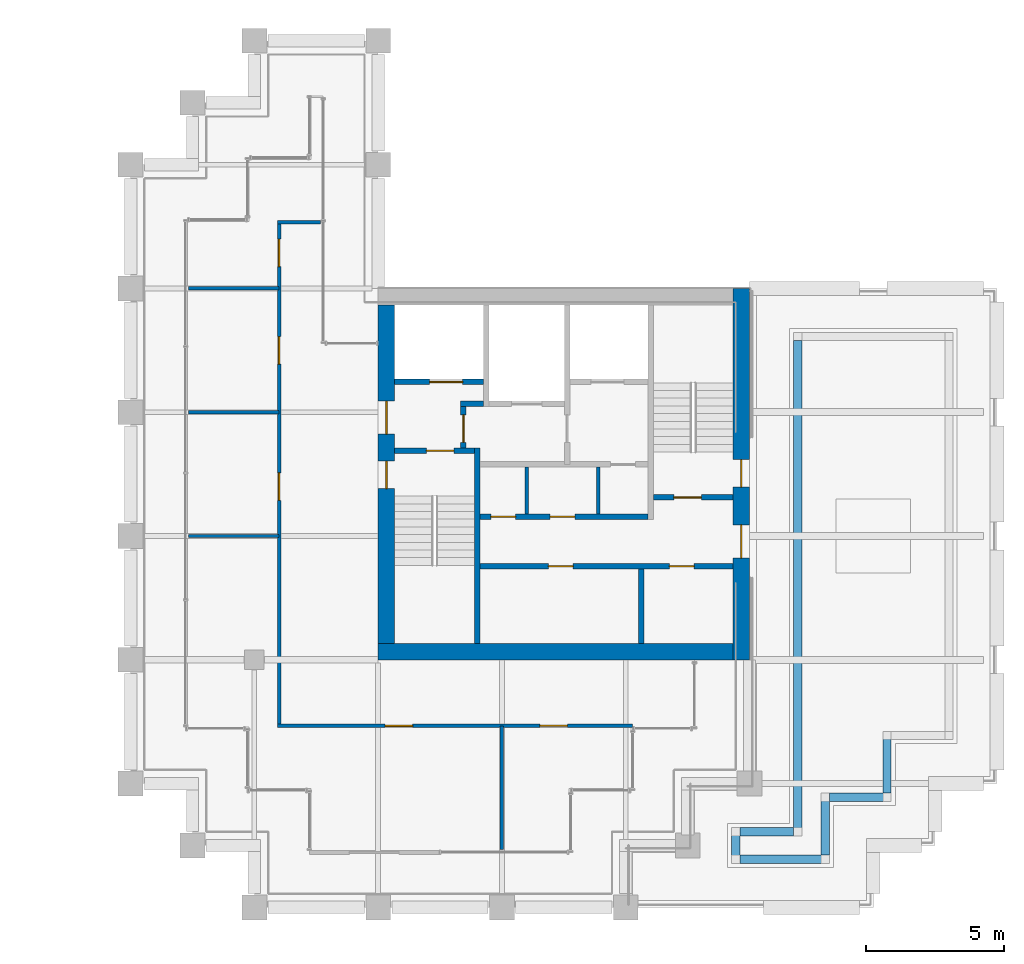
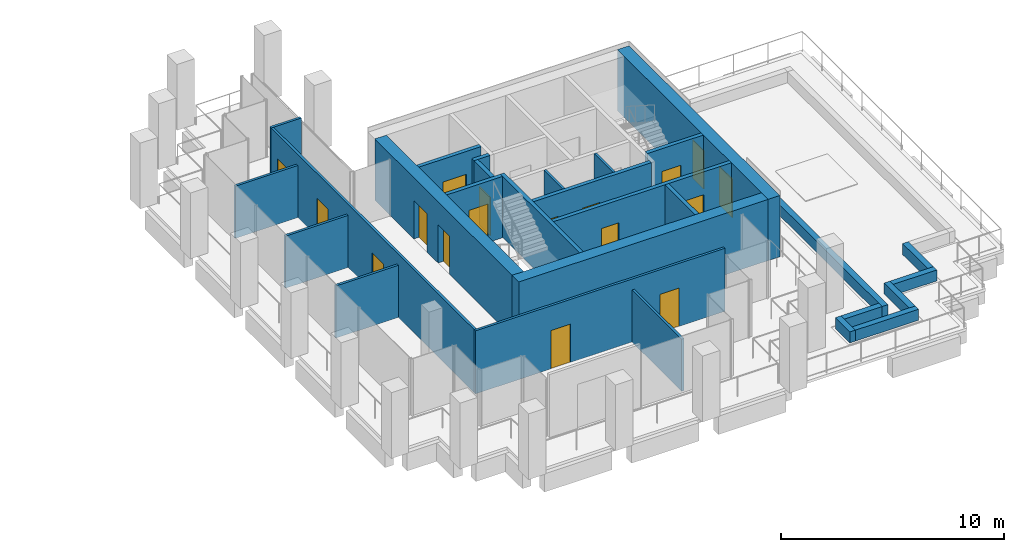
# One storey, part 40 of 44: 28 walls, 17 doors, 17 openings.
"""IFC4 building model written with IfcOpenShell, lengths in metres."""

from ifc_helpers import new_model, si_unit, direction, frame, frame_2d, origin, place, context, subcontext, project, spatial, rectangle, extrude, material, layer, layer_set, type_object, element, fill, save


model = new_model("IFC4")

# Units and contexts
model_context = context("Model", 3, precision=1e-05, world=origin(), true_north=direction((0.0, 1.0)))
body_context = subcontext(model_context, "Body", "Model", "MODEL_VIEW")
ifc_project = project(units=[si_unit("LENGTHUNIT", "METRE"), si_unit("AREAUNIT", "SQUARE_METRE"), si_unit("VOLUMEUNIT", "CUBIC_METRE"), si_unit("PLANEANGLEUNIT", "RADIAN"), si_unit("MASSUNIT", "GRAM", prefix="KILO")], contexts=[model_context])

# Site, building, storey
site_placement = place(None, origin())
site = spatial("IfcSite", under=ifc_project, at=site_placement, CompositionType="ELEMENT")
building_placement = place(site_placement, origin())
building = spatial("IfcBuilding", under=site, at=building_placement, Name="Altepetl Exchange Towers", CompositionType="ELEMENT")
storey_placement = place(building_placement, frame((0.0, 0.0, 143.800048828125)))
storey = spatial("IfcBuildingStorey", under=building, at=storey_placement, Name="L35", CompositionType="ELEMENT", Elevation=143.800048828125)

# Wall
ifc_material_1 = material(Name="Concrete C70/85", Category="concrete")
ifc_layer_1 = layer(ifc_material_1, 0.60009765625)
ifc_layer_set_1 = layer_set([ifc_layer_1], Name="Concrete C70/85")
wall_type_1 = type_object("IfcWallType", Name="Core wall 600 reinforced concrete", PredefinedType="SHEAR", material=ifc_layer_set_1)
wall_1_placement = place(storey_placement, frame((103.5, 36.300048828125, 0.0)))
element("IfcWall", 1, at=wall_1_placement, inside=storey, type_object=wall_type_1, Name="wall:B:L35:K-coreS", PredefinedType="SHEAR", context=body_context, shape_type="SweptSolid", body=[
    extrude(rectangle(XDim=12.89990234375, YDim=0.60009765625, at=frame_2d((6.449951171875, 0.0))), origin(), (0.0, 0.0, 1.0), 3.349853515625),
])

# Wall, openings, doors
wall_2_placement = place(storey_placement, frame((103.800048828125, 36.60009765625, 0.0), z_axis=(0.0, 0.0, 1.0), x_axis=(0.0, 1.0, 0.0)))
wall_2 = element("IfcWall", 2, at=wall_2_placement, inside=storey, type_object=wall_type_1, Name="wall:B:L35:K-coreW", PredefinedType="SHEAR", context=body_context, shape_type="SweptSolid", body=[
    extrude(rectangle(XDim=12.2998046875, YDim=0.60009765625, at=frame_2d((6.14990234375, 0.0))), origin(), (0.0, 0.0, 1.0), 3.349853515625),
])
opening_1_placement = place(wall_2_placement, frame((7.60009765625, 0.0, 0.0)))
opening_1 = element("IfcOpeningElement", 3, at=opening_1_placement, cuts=wall_2, Name="Opening L35.B60", PredefinedType="OPENING", context=body_context, shape_type="SweptSolid", body=[
    extrude(rectangle(XDim=1.199951171875, YDim=2.10009765625, at=frame_2d((0.60009765625, 1.050048828125))), frame((0.0, 0.31005859375, 0.0), z_axis=(0.0, -1.0, 0.0), x_axis=(1.0, 0.0, 0.0)), (0.0, 0.0, 1.0), 0.6201171875),
])
opening_2_placement = place(wall_2_placement, frame((5.625, 0.0, 0.0)))
opening_2 = element("IfcOpeningElement", 4, at=opening_2_placement, cuts=wall_2, Name="Opening L35.B63", PredefinedType="OPENING", context=body_context, shape_type="SweptSolid", body=[
    extrude(rectangle(XDim=1.0, YDim=2.10009765625, at=frame_2d((0.5, 1.050048828125))), frame((0.0, 0.31005859375, 0.0), z_axis=(0.0, -1.0, 0.0), x_axis=(1.0, 0.0, 0.0)), (0.0, 0.0, 1.0), 0.6201171875),
])
ifc_material_2 = material(Name="Steel and timber fire door", Category="steel")
door_type_1 = type_object("IfcDoorType", Name="Fire door 1000 x 2100 stair and lobby", OperationType="SINGLE_SWING_LEFT", PredefinedType="DOOR", material=ifc_material_2)
door_1_placement = place(opening_2_placement, frame((1.0, 0.0, 0.0), x_axis=(-1.0, 0.0, 0.0)))
door_1 = element("IfcDoor", 5, at=door_1_placement, inside=storey, type_object=door_type_1, Name="door:B:L35:K-dS1x", OperationType="SINGLE_SWING_RIGHT", OverallHeight=2.10009765625, OverallWidth=1.0, PredefinedType="DOOR", context=body_context, shape_type="SweptSolid", body=[
    extrude(rectangle(XDim=1.0, YDim=2.10009765625, at=frame_2d((0.5, 1.050048828125))), frame((0.0, 0.02490234375, 0.0), z_axis=(0.0, -1.0, 0.0), x_axis=(1.0, 0.0, 0.0)), (0.0, 0.0, 1.0), 0.050048828125),
])
fill(opening_2, door_1)
door_type_2 = type_object("IfcDoorType", Name="Fire door 1200 x 2100 lobby entry", OperationType="SINGLE_SWING_LEFT", PredefinedType="DOOR", material=ifc_material_2)
door_2_placement = place(opening_1_placement, frame((1.199951171875, 0.0, 0.0), x_axis=(-1.0, 0.0, 0.0)))
door_2 = element("IfcDoor", 6, at=door_2_placement, inside=storey, type_object=door_type_2, Name="door:B:L35:K-dLNW", OperationType="SINGLE_SWING_RIGHT", OverallHeight=2.10009765625, OverallWidth=1.199951171875, PredefinedType="DOOR", context=body_context, shape_type="SweptSolid", body=[
    extrude(rectangle(XDim=1.199951171875, YDim=2.10009765625, at=frame_2d((0.60009765625, 1.050048828125))), frame((0.0, 0.02490234375, 0.0), z_axis=(0.0, -1.0, 0.0), x_axis=(1.0, 0.0, 0.0)), (0.0, 0.0, 1.0), 0.050048828125),
])
fill(opening_1, door_2)

ifc_layer_2 = layer(ifc_material_1, 0.60009765625)
ifc_layer_set_2 = layer_set([ifc_layer_2], Name="Concrete C70/85")
wall_type_2 = type_object("IfcWallType", Name="Core wall 600 reinforced concrete external", PredefinedType="SHEAR", material=ifc_layer_set_2)
wall_3_placement = place(storey_placement, frame((116.699951171875, 36.0, 0.0), z_axis=(0.0, 0.0, 1.0), x_axis=(0.0, 1.0, 0.0)))
wall_3 = element("IfcWall", 7, at=wall_3_placement, inside=storey, type_object=wall_type_2, Name="wall:B:L35:K-coreE", PredefinedType="SHEAR", context=body_context, shape_type="SweptSolid", body=[
    extrude(rectangle(XDim=13.5, YDim=0.60009765625, at=frame_2d((6.75, 0.0))), origin(), (0.0, 0.0, 1.0), 3.349853515625),
])
opening_3_placement = place(wall_3_placement, frame((3.699951171875, 0.0, 0.0)))
opening_3 = element("IfcOpeningElement", 8, at=opening_3_placement, cuts=wall_3, Name="Opening L35.B61", PredefinedType="OPENING", context=body_context, shape_type="SweptSolid", body=[
    extrude(rectangle(XDim=1.199951171875, YDim=2.10009765625, at=frame_2d((0.60009765625, 1.050048828125))), frame((0.0, 0.31005859375, 0.0), z_axis=(0.0, -1.0, 0.0), x_axis=(1.0, 0.0, 0.0)), (0.0, 0.0, 1.0), 0.6201171875),
])
opening_4_placement = place(wall_3_placement, frame((6.27490234375, 0.0, 0.0)))
opening_4 = element("IfcOpeningElement", 9, at=opening_4_placement, cuts=wall_3, Name="Opening L35.B65", PredefinedType="OPENING", context=body_context, shape_type="SweptSolid", body=[
    extrude(rectangle(XDim=1.0, YDim=2.10009765625, at=frame_2d((0.5, 1.050048828125))), frame((0.0, 0.31005859375, 0.0), z_axis=(0.0, -1.0, 0.0), x_axis=(1.0, 0.0, 0.0)), (0.0, 0.0, 1.0), 0.6201171875),
])
door_3_placement = place(opening_4_placement, origin())
door_3 = element("IfcDoor", 10, at=door_3_placement, inside=storey, type_object=door_type_1, Name="door:B:L35:K-dS2x", OperationType="SINGLE_SWING_LEFT", OverallHeight=2.10009765625, OverallWidth=1.0, PredefinedType="DOOR", context=body_context, shape_type="SweptSolid", body=[
    extrude(rectangle(XDim=1.0, YDim=2.10009765625, at=frame_2d((0.5, 1.050048828125))), frame((0.0, 0.02490234375, 0.0), z_axis=(0.0, -1.0, 0.0), x_axis=(1.0, 0.0, 0.0)), (0.0, 0.0, 1.0), 0.050048828125),
])
fill(opening_4, door_3)
door_4_placement = place(opening_3_placement, origin())
door_4 = element("IfcDoor", 11, at=door_4_placement, inside=storey, type_object=door_type_2, Name="door:B:L35:K-dLSE", OperationType="SINGLE_SWING_RIGHT", OverallHeight=2.10009765625, OverallWidth=1.199951171875, PredefinedType="DOOR", context=body_context, shape_type="SweptSolid", body=[
    extrude(rectangle(XDim=1.199951171875, YDim=2.10009765625, at=frame_2d((0.60009765625, 1.050048828125))), frame((0.0, 0.02490234375, 0.0), z_axis=(0.0, -1.0, 0.0), x_axis=(1.0, 0.0, 0.0)), (0.0, 0.0, 1.0), 0.050048828125),
])
fill(opening_3, door_4)

# Wall
ifc_material_3 = material(Name="Concrete blockwork", Category="masonry")
ifc_layer_3 = layer(ifc_material_3, 0.199951171875)
ifc_layer_set_3 = layer_set([ifc_layer_3], Name="Concrete blockwork")
wall_type_3 = type_object("IfcWallType", Name="Lobby wall 200 blockwork", PredefinedType="PARTITIONING", material=ifc_layer_set_3)
wall_4_placement = place(storey_placement, frame((106.5, 45.300048828125, 0.0)))
element("IfcWall", 12, at=wall_4_placement, inside=storey, type_object=wall_type_3, Name="wall:B:L35:K-ffNw", PredefinedType="PARTITIONING", context=body_context, shape_type="SweptSolid", body=[
    extrude(rectangle(XDim=0.833251953125, YDim=0.199951171875, at=frame_2d((0.41650390625, 0.0))), origin(), (0.0, 0.0, 1.0), 3.349853515625),
])

# Wall, opening, door
wall_5_placement = place(storey_placement, frame((106.60009765625, 43.699951171875, 0.0), z_axis=(0.0, 0.0, 1.0), x_axis=(0.0, 1.0, 0.0)))
wall_5 = element("IfcWall", 13, at=wall_5_placement, inside=storey, type_object=wall_type_3, Name="wall:B:L35:K-ffW", PredefinedType="PARTITIONING", context=body_context, shape_type="SweptSolid", body=[
    extrude(rectangle(XDim=1.5, YDim=0.199951171875, at=frame_2d((0.75, 0.0))), origin(), (0.0, 0.0, 1.0), 3.349853515625),
])
opening_5_placement = place(wall_5_placement, frame((0.199951171875, 0.0, 0.0)))
opening_5 = element("IfcOpeningElement", 14, at=opening_5_placement, cuts=wall_5, Name="Opening L35.B67", PredefinedType="OPENING", context=body_context, shape_type="SweptSolid", body=[
    extrude(rectangle(XDim=1.0, YDim=2.10009765625, at=frame_2d((0.5, 1.050048828125))), frame((0.0, 0.10986328125, 0.0), z_axis=(0.0, -1.0, 0.0), x_axis=(1.0, 0.0, 0.0)), (0.0, 0.0, 1.0), 0.219970703125),
])
door_5_placement = place(opening_5_placement, frame((1.0, 0.0, 0.0), x_axis=(-1.0, 0.0, 0.0)))
door_5 = element("IfcDoor", 15, at=door_5_placement, inside=storey, type_object=door_type_1, Name="door:B:L35:K-dffW", OperationType="SINGLE_SWING_LEFT", OverallHeight=2.10009765625, OverallWidth=1.0, PredefinedType="DOOR", context=body_context, shape_type="SweptSolid", body=[
    extrude(rectangle(XDim=1.0, YDim=2.10009765625, at=frame_2d((0.5, 1.050048828125))), frame((0.0, 0.02490234375, 0.0), z_axis=(0.0, -1.0, 0.0), x_axis=(1.0, 0.0, 0.0)), (0.0, 0.0, 1.0), 0.050048828125),
])
fill(opening_5, door_5)

# Wall, openings, doors
wall_6_placement = place(storey_placement, frame((107.199951171875, 41.199951171875, 0.0)))
wall_6 = element("IfcWall", 16, at=wall_6_placement, inside=storey, type_object=wall_type_3, Name="wall:B:L35:K-zoneS", PredefinedType="PARTITIONING", context=body_context, shape_type="SweptSolid", body=[
    extrude(rectangle(XDim=6.10009765625, YDim=0.199951171875, at=frame_2d((3.050048828125, 0.0))), origin(), (0.0, 0.0, 1.0), 3.349853515625),
])
opening_6_placement = place(wall_6_placement, frame((0.39990234375, 0.0, 0.0)))
opening_6 = element("IfcOpeningElement", 17, at=opening_6_placement, cuts=wall_6, Name="Opening L35.B70", PredefinedType="OPENING", context=body_context, shape_type="SweptSolid", body=[
    extrude(rectangle(XDim=0.89990234375, YDim=2.10009765625, at=frame_2d((0.449951171875, 1.050048828125))), frame((0.0, 0.10986328125, 0.0), z_axis=(0.0, -1.0, 0.0), x_axis=(1.0, 0.0, 0.0)), (0.0, 0.0, 1.0), 0.219970703125),
])
opening_7_placement = place(wall_6_placement, frame((2.550048828125, 0.0, 0.0)))
opening_7 = element("IfcOpeningElement", 18, at=opening_7_placement, cuts=wall_6, Name="Opening L35.B71", PredefinedType="OPENING", context=body_context, shape_type="SweptSolid", body=[
    extrude(rectangle(XDim=0.89990234375, YDim=2.10009765625, at=frame_2d((0.449951171875, 1.050048828125))), frame((0.0, 0.10986328125, 0.0), z_axis=(0.0, -1.0, 0.0), x_axis=(1.0, 0.0, 0.0)), (0.0, 0.0, 1.0), 0.219970703125),
])
door_type_3 = type_object("IfcDoorType", Name="Fire door 900 x 2100 service room", OperationType="SINGLE_SWING_LEFT", PredefinedType="DOOR", material=ifc_material_2)
door_6_placement = place(opening_6_placement, origin())
door_6 = element("IfcDoor", 19, at=door_6_placement, inside=storey, type_object=door_type_3, Name="door:B:L35:K-dz1", OperationType="SINGLE_SWING_RIGHT", OverallHeight=2.10009765625, OverallWidth=0.89990234375, PredefinedType="DOOR", context=body_context, shape_type="SweptSolid", body=[
    extrude(rectangle(XDim=0.89990234375, YDim=2.10009765625, at=frame_2d((0.449951171875, 1.050048828125))), frame((0.0, 0.02490234375, 0.0), z_axis=(0.0, -1.0, 0.0), x_axis=(1.0, 0.0, 0.0)), (0.0, 0.0, 1.0), 0.050048828125),
])
fill(opening_6, door_6)
door_7_placement = place(opening_7_placement, origin())
door_7 = element("IfcDoor", 20, at=door_7_placement, inside=storey, type_object=door_type_3, Name="door:B:L35:K-dz2", OperationType="SINGLE_SWING_LEFT", OverallHeight=2.10009765625, OverallWidth=0.89990234375, PredefinedType="DOOR", context=body_context, shape_type="SweptSolid", body=[
    extrude(rectangle(XDim=0.89990234375, YDim=2.10009765625, at=frame_2d((0.449951171875, 1.050048828125))), frame((0.0, 0.02490234375, 0.0), z_axis=(0.0, -1.0, 0.0), x_axis=(1.0, 0.0, 0.0)), (0.0, 0.0, 1.0), 0.050048828125),
])
fill(opening_7, door_7)

# Walls
ifc_material_4 = material(Name="Timber panels on aluminium track", Category="wood")
ifc_layer_4 = layer(ifc_material_4, 0.125)
ifc_layer_set_4 = layer_set([ifc_layer_4], Name="Timber panels on aluminium track")
wall_type_4 = type_object("IfcWallType", Name="Operable acoustic partition 125", PredefinedType="MOVABLE", material=ifc_layer_set_4)
for number, where, name in (
    (21, (96.60009765625, 45.0, 0.0), "wall:B:L35:P03"),
    (22, (96.60009765625, 49.5, 0.0), "wall:B:L35:P04"),
):
    element("IfcWall", number, at=place(storey_placement, frame(where)), inside=storey, type_object=wall_type_4, Name=name, PredefinedType="MOVABLE", context=body_context, shape_type="SweptSolid", body=[
        extrude(rectangle(XDim=3.2998046875, YDim=0.125, at=frame_2d((1.64990234375, 0.0))), origin(), (0.0, 0.0, 1.0), 2.850830078125),
    ])
ifc_material_5 = material(Name="Gypsum board on steel studs", Category="steel")
ifc_layer_5 = layer(ifc_material_5, 0.125)
ifc_layer_set_5 = layer_set([ifc_layer_5], Name="Gypsum board on steel studs")
wall_type_5 = type_object("IfcWallType", Name="Partition 125 gypsum board on steel studs", PredefinedType="PARTITIONING", material=ifc_layer_set_5)
for number, where, z_axis, x_axis, name in (
    (23, (108.89990234375, 41.300048828125, 0.0), (0.0, 0.0, 1.0), (0.0, 1.0, 0.0), "wall:B:L35:K-zp1"),
    (24, (111.5, 41.300048828125, 0.0), (0.0, 0.0, 1.0), (0.0, 1.0, 0.0), "wall:B:L35:K-zp2"),
):
    element("IfcWall", number, at=place(storey_placement, frame(where, z_axis=z_axis, x_axis=x_axis)), inside=storey, type_object=wall_type_5, Name=name, PredefinedType="PARTITIONING", context=body_context, shape_type="SweptSolid", body=[
        extrude(rectangle(XDim=1.699951171875, YDim=0.125, at=frame_2d((0.85009765625, 0.0))), origin(), (0.0, 0.0, 1.0), 3.349853515625),
    ])

# Wall, openings, doors
wall_7_placement = place(storey_placement, frame((99.83740234375, 33.60009765625, 0.0)))
wall_7 = element("IfcWall", 25, at=wall_7_placement, inside=storey, type_object=wall_type_5, Name="wall:B:L35:P01", PredefinedType="PARTITIONING", context=body_context, shape_type="SweptSolid", body=[
    extrude(rectangle(XDim=12.91259765625, YDim=0.125, at=frame_2d((6.456298828125, 0.0))), origin(), (0.0, 0.0, 1.0), 3.449951171875),
])
opening_8_placement = place(wall_7_placement, frame((3.91259765625, 0.0, 0.0)))
opening_8 = element("IfcOpeningElement", 26, at=opening_8_placement, cuts=wall_7, Name="Opening L35.B01", PredefinedType="OPENING", context=body_context, shape_type="SweptSolid", body=[
    extrude(rectangle(XDim=1.0, YDim=2.10009765625, at=frame_2d((0.5, 1.050048828125))), frame((0.0, 0.072509765625, 0.0), z_axis=(0.0, -1.0, 0.0), x_axis=(1.0, 0.0, 0.0)), (0.0, 0.0, 1.0), 0.14501953125),
])
opening_9_placement = place(wall_7_placement, frame((9.53857421875, 0.0, 0.0)))
opening_9 = element("IfcOpeningElement", 27, at=opening_9_placement, cuts=wall_7, Name="Opening L35.B02", PredefinedType="OPENING", context=body_context, shape_type="SweptSolid", body=[
    extrude(rectangle(XDim=1.0, YDim=2.10009765625, at=frame_2d((0.5, 1.050048828125))), frame((0.0, 0.072509765625, 0.0), z_axis=(0.0, -1.0, 0.0), x_axis=(1.0, 0.0, 0.0)), (0.0, 0.0, 1.0), 0.14501953125),
])
door_type_4 = type_object("IfcDoorType", Name="Fire door 1000 x 2100 single leaf", OperationType="SINGLE_SWING_LEFT", PredefinedType="DOOR", material=ifc_material_2)
door_8_placement = place(opening_8_placement, origin())
door_8 = element("IfcDoor", 28, at=door_8_placement, inside=storey, type_object=door_type_4, Name="door:B:L35:01", OperationType="SINGLE_SWING_RIGHT", OverallHeight=2.10009765625, OverallWidth=1.0, PredefinedType="DOOR", context=body_context, shape_type="SweptSolid", body=[
    extrude(rectangle(XDim=1.0, YDim=2.10009765625, at=frame_2d((0.5, 1.050048828125))), frame((0.0, 0.02490234375, 0.0), z_axis=(0.0, -1.0, 0.0), x_axis=(1.0, 0.0, 0.0)), (0.0, 0.0, 1.0), 0.050048828125),
])
fill(opening_8, door_8)
door_9_placement = place(opening_9_placement, frame((1.0, 0.0, 0.0), x_axis=(-1.0, 0.0, 0.0)))
door_9 = element("IfcDoor", 29, at=door_9_placement, inside=storey, type_object=door_type_4, Name="door:B:L35:02", OperationType="SINGLE_SWING_RIGHT", OverallHeight=2.10009765625, OverallWidth=1.0, PredefinedType="DOOR", context=body_context, shape_type="SweptSolid", body=[
    extrude(rectangle(XDim=1.0, YDim=2.10009765625, at=frame_2d((0.5, 1.050048828125))), frame((0.0, 0.02490234375, 0.0), z_axis=(0.0, -1.0, 0.0), x_axis=(1.0, 0.0, 0.0)), (0.0, 0.0, 1.0), 0.050048828125),
])
fill(opening_9, door_9)

# Walls
wall_8_placement = place(storey_placement, frame((96.60009765625, 40.5, 0.0)))
element("IfcWall", 30, at=wall_8_placement, inside=storey, type_object=wall_type_5, Name="wall:B:L35:P02", PredefinedType="PARTITIONING", context=body_context, shape_type="SweptSolid", body=[
    extrude(rectangle(XDim=3.2998046875, YDim=0.125, at=frame_2d((1.64990234375, 0.0))), origin(), (0.0, 0.0, 1.0), 2.850830078125),
])
wall_9_placement = place(storey_placement, frame((99.83740234375, 51.89990234375, 0.0)))
element("IfcWall", 31, at=wall_9_placement, inside=storey, type_object=wall_type_5, Name="wall:B:L35:P05", PredefinedType="PARTITIONING", context=body_context, shape_type="SweptSolid", body=[
    extrude(rectangle(XDim=1.5625, YDim=0.125, at=frame_2d((0.78125, 0.0))), origin(), (0.0, 0.0, 1.0), 3.449951171875),
])

# Wall, openings, doors
wall_10_placement = place(storey_placement, frame((99.89990234375, 33.66259765625, 0.0), z_axis=(0.0, 0.0, 1.0), x_axis=(0.0, 1.0, 0.0)))
wall_10 = element("IfcWall", 32, at=wall_10_placement, inside=storey, type_object=wall_type_5, Name="wall:B:L35:P06", PredefinedType="PARTITIONING", context=body_context, shape_type="SweptSolid", body=[
    extrude(rectangle(XDim=18.1748046875, YDim=0.125, at=frame_2d((9.08740234375, 0.0))), origin(), (0.0, 0.0, 1.0), 3.449951171875),
])
opening_10_placement = place(wall_10_placement, frame((16.62548828125, 0.0, 0.0)))
opening_10 = element("IfcOpeningElement", 33, at=opening_10_placement, cuts=wall_10, Name="Opening L35.B03", PredefinedType="OPENING", context=body_context, shape_type="SweptSolid", body=[
    extrude(rectangle(XDim=1.0, YDim=2.10009765625, at=frame_2d((0.5, 1.050048828125))), frame((0.0, 0.072509765625, 0.0), z_axis=(0.0, -1.0, 0.0), x_axis=(1.0, 0.0, 0.0)), (0.0, 0.0, 1.0), 0.14501953125),
])
opening_11_placement = place(wall_10_placement, frame((13.08740234375, 0.0, 0.0)))
opening_11 = element("IfcOpeningElement", 34, at=opening_11_placement, cuts=wall_10, Name="Opening L35.B04", PredefinedType="OPENING", context=body_context, shape_type="SweptSolid", body=[
    extrude(rectangle(XDim=1.0, YDim=2.10009765625, at=frame_2d((0.5, 1.050048828125))), frame((0.0, 0.072509765625, 0.0), z_axis=(0.0, -1.0, 0.0), x_axis=(1.0, 0.0, 0.0)), (0.0, 0.0, 1.0), 0.14501953125),
])
opening_12_placement = place(wall_10_placement, frame((8.132568359375, 0.0, 0.0)))
opening_12 = element("IfcOpeningElement", 35, at=opening_12_placement, cuts=wall_10, Name="Opening L35.B05", PredefinedType="OPENING", context=body_context, shape_type="SweptSolid", body=[
    extrude(rectangle(XDim=1.0, YDim=2.10009765625, at=frame_2d((0.5, 1.050048828125))), frame((0.0, 0.072509765625, 0.0), z_axis=(0.0, -1.0, 0.0), x_axis=(1.0, 0.0, 0.0)), (0.0, 0.0, 1.0), 0.14501953125),
])
door_10_placement = place(opening_10_placement, origin())
door_10 = element("IfcDoor", 36, at=door_10_placement, inside=storey, type_object=door_type_4, Name="door:B:L35:03", OperationType="SINGLE_SWING_RIGHT", OverallHeight=2.10009765625, OverallWidth=1.0, PredefinedType="DOOR", context=body_context, shape_type="SweptSolid", body=[
    extrude(rectangle(XDim=1.0, YDim=2.10009765625, at=frame_2d((0.5, 1.050048828125))), frame((0.0, 0.02490234375, 0.0), z_axis=(0.0, -1.0, 0.0), x_axis=(1.0, 0.0, 0.0)), (0.0, 0.0, 1.0), 0.050048828125),
])
fill(opening_10, door_10)
door_11_placement = place(opening_11_placement, origin())
door_11 = element("IfcDoor", 37, at=door_11_placement, inside=storey, type_object=door_type_4, Name="door:B:L35:04", OperationType="SINGLE_SWING_LEFT", OverallHeight=2.10009765625, OverallWidth=1.0, PredefinedType="DOOR", context=body_context, shape_type="SweptSolid", body=[
    extrude(rectangle(XDim=1.0, YDim=2.10009765625, at=frame_2d((0.5, 1.050048828125))), frame((0.0, 0.02490234375, 0.0), z_axis=(0.0, -1.0, 0.0), x_axis=(1.0, 0.0, 0.0)), (0.0, 0.0, 1.0), 0.050048828125),
])
fill(opening_11, door_11)
door_12_placement = place(opening_12_placement, origin())
door_12 = element("IfcDoor", 38, at=door_12_placement, inside=storey, type_object=door_type_4, Name="door:B:L35:05", OperationType="SINGLE_SWING_RIGHT", OverallHeight=2.10009765625, OverallWidth=1.0, PredefinedType="DOOR", context=body_context, shape_type="SweptSolid", body=[
    extrude(rectangle(XDim=1.0, YDim=2.10009765625, at=frame_2d((0.5, 1.050048828125))), frame((0.0, 0.02490234375, 0.0), z_axis=(0.0, -1.0, 0.0), x_axis=(1.0, 0.0, 0.0)), (0.0, 0.0, 1.0), 0.050048828125),
])
fill(opening_12, door_12)

# Walls
wall_11_placement = place(storey_placement, frame((108.0, 29.10009765625, 0.0), z_axis=(0.0, 0.0, 1.0), x_axis=(0.0, 1.0, 0.0)))
element("IfcWall", 39, at=wall_11_placement, inside=storey, type_object=wall_type_5, Name="wall:B:L35:P07", PredefinedType="PARTITIONING", context=body_context, shape_type="SweptSolid", body=[
    extrude(rectangle(XDim=4.5, YDim=0.125, at=frame_2d((2.25, 0.0))), origin(), (0.0, 0.0, 1.0), 2.850830078125),
])
ifc_material_6 = material(Name="Concrete C30/37", Category="concrete")
ifc_layer_6 = layer(ifc_material_6, 0.300048828125)
ifc_layer_set_6 = layer_set([ifc_layer_6], Name="Concrete C30/37")
wall_type_6 = type_object("IfcWallType", Name="Planter wall 300 concrete", PredefinedType="SOLIDWALL", material=ifc_layer_set_6)
wall_12_placement = place(storey_placement, frame((116.5, 29.89990234375, 0.0), z_axis=(0.0, 0.0, 1.0), x_axis=(0.0, -1.0, 0.0)))
element("IfcWall", 40, at=wall_12_placement, inside=storey, type_object=wall_type_6, Name="Planter bed wall", PredefinedType="SOLIDWALL", context=body_context, shape_type="SweptSolid", body=[
    extrude(rectangle(XDim=1.2998046875, YDim=0.300048828125, at=frame_2d((0.64990234375, 0.0))), origin(), (0.0, 0.0, 1.0), 0.599853515625),
])
wall_13_placement = place(storey_placement, frame((116.64990234375, 28.75, 0.0)))
element("IfcWall", 41, at=wall_13_placement, inside=storey, type_object=wall_type_6, Name="Planter bed wall", PredefinedType="SOLIDWALL", context=body_context, shape_type="SweptSolid", body=[
    extrude(rectangle(XDim=3.25, YDim=0.300048828125, at=frame_2d((1.625, 0.0))), origin(), (0.0, 0.0, 1.0), 0.599853515625),
])
wall_14_placement = place(storey_placement, frame((119.75, 28.89990234375, 0.0), z_axis=(0.0, 0.0, 1.0), x_axis=(0.0, 1.0, 0.0)))
element("IfcWall", 42, at=wall_14_placement, inside=storey, type_object=wall_type_6, Name="Planter bed wall", PredefinedType="SOLIDWALL", context=body_context, shape_type="SweptSolid", body=[
    extrude(rectangle(XDim=2.25, YDim=0.300048828125, at=frame_2d((1.125, 0.0))), origin(), (0.0, 0.0, 1.0), 0.599853515625),
])
wall_15_placement = place(storey_placement, frame((119.89990234375, 31.0, 0.0)))
element("IfcWall", 43, at=wall_15_placement, inside=storey, type_object=wall_type_6, Name="Planter bed wall", PredefinedType="SOLIDWALL", context=body_context, shape_type="SweptSolid", body=[
    extrude(rectangle(XDim=2.25, YDim=0.300048828125, at=frame_2d((1.125, 0.0))), origin(), (0.0, 0.0, 1.0), 0.599853515625),
])
wall_16_placement = place(storey_placement, frame((122.0, 31.14990234375, 0.0), z_axis=(0.0, 0.0, 1.0), x_axis=(0.0, 1.0, 0.0)))
element("IfcWall", 44, at=wall_16_placement, inside=storey, type_object=wall_type_6, Name="Planter bed wall", PredefinedType="SOLIDWALL", context=body_context, shape_type="SweptSolid", body=[
    extrude(rectangle(XDim=2.25, YDim=0.300048828125, at=frame_2d((1.125, 0.0))), origin(), (0.0, 0.0, 1.0), 0.599853515625),
])
wall_17_placement = place(storey_placement, frame((118.75, 47.60009765625, 0.0), z_axis=(0.0, 0.0, 1.0), x_axis=(0.0, -1.0, 0.0)))
element("IfcWall", 45, at=wall_17_placement, inside=storey, type_object=wall_type_6, Name="Planter bed wall", PredefinedType="SOLIDWALL", context=body_context, shape_type="SweptSolid", body=[
    extrude(rectangle(XDim=18.0, YDim=0.300048828125, at=frame_2d((9.0, 0.0))), origin(), (0.0, 0.0, 1.0), 0.599853515625),
])
wall_18_placement = place(storey_placement, frame((118.60009765625, 29.75, 0.0), z_axis=(0.0, 0.0, 1.0), x_axis=(-1.0, 0.0, 0.0)))
element("IfcWall", 46, at=wall_18_placement, inside=storey, type_object=wall_type_6, Name="Planter bed wall", PredefinedType="SOLIDWALL", context=body_context, shape_type="SweptSolid", body=[
    extrude(rectangle(XDim=1.9501953125, YDim=0.300048828125, at=frame_2d((0.97509765625, 0.0))), origin(), (0.0, 0.0, 1.0), 0.599853515625),
])

# Wall, opening, door
ifc_material_7 = material(Name="Concrete C40/50", Category="concrete")
ifc_layer_7 = layer(ifc_material_7, 0.199951171875)
ifc_layer_set_7 = layer_set([ifc_layer_7], Name="Concrete C40/50")
wall_type_7 = type_object("IfcWallType", Name="Shaft wall 200 reinforced concrete", PredefinedType="SHEAR", material=ifc_layer_set_7)
wall_19_placement = place(storey_placement, frame((104.10009765625, 46.10009765625, 0.0)))
wall_19 = element("IfcWall", 47, at=wall_19_placement, inside=storey, type_object=wall_type_7, Name="wall:B:L35:K-frontNa", PredefinedType="SHEAR", context=body_context, shape_type="SweptSolid", body=[
    extrude(rectangle(XDim=3.233154296875, YDim=0.199951171875, at=frame_2d((1.61669921875, 0.0))), origin(), (0.0, 0.0, 1.0), 3.349853515625),
])
opening_13_placement = place(wall_19_placement, frame((1.2666015625, 0.0, 0.0)))
opening_13 = element("IfcOpeningElement", 48, at=opening_13_placement, cuts=wall_19, Name="Opening L35.B74", PredefinedType="OPENING", context=body_context, shape_type="SweptSolid", body=[
    extrude(rectangle(XDim=1.199951171875, YDim=2.10009765625, at=frame_2d((0.60009765625, 1.050048828125))), frame((0.0, 0.10986328125, 0.0), z_axis=(0.0, -1.0, 0.0), x_axis=(1.0, 0.0, 0.0)), (0.0, 0.0, 1.0), 0.219970703125),
])
ifc_material_8 = material(Name="Stainless steel", Category="steel")
door_type_5 = type_object("IfcDoorType", Name="Lift landing door 1200 x 2100", OperationType="SLIDING_TO_LEFT", PredefinedType="DOOR", material=ifc_material_8)
door_13_placement = place(opening_13_placement, origin())
door_13 = element("IfcDoor", 49, at=door_13_placement, inside=storey, type_object=door_type_5, Name="Landing door P4", OperationType="SLIDING_TO_LEFT", OverallHeight=2.10009765625, OverallWidth=1.199951171875, PredefinedType="DOOR", context=body_context, shape_type="SweptSolid", body=[
    extrude(rectangle(XDim=1.199951171875, YDim=2.10009765625, at=frame_2d((0.60009765625, 1.050048828125))), frame((0.0, 0.02490234375, 0.0), z_axis=(0.0, -1.0, 0.0), x_axis=(1.0, 0.0, 0.0)), (0.0, 0.0, 1.0), 0.050048828125),
])
fill(opening_13, door_13)

# Wall, openings, doors
wall_20_placement = place(storey_placement, frame((107.199951171875, 39.39990234375, 0.0)))
wall_20 = element("IfcWall", 50, at=wall_20_placement, inside=storey, type_object=wall_type_7, Name="wall:B:L35:K-frontS", PredefinedType="SHEAR", context=body_context, shape_type="SweptSolid", body=[
    extrude(rectangle(XDim=9.199951171875, YDim=0.199951171875, at=frame_2d((4.60009765625, 0.0))), origin(), (0.0, 0.0, 1.0), 3.349853515625),
])
opening_14_placement = place(wall_20_placement, frame((2.4833984375, 0.0, 0.0)))
opening_14 = element("IfcOpeningElement", 51, at=opening_14_placement, cuts=wall_20, Name="Opening L35.B68", PredefinedType="OPENING", context=body_context, shape_type="SweptSolid", body=[
    extrude(rectangle(XDim=0.89990234375, YDim=2.10009765625, at=frame_2d((0.449951171875, 1.050048828125))), frame((0.0, 0.10986328125, 0.0), z_axis=(0.0, -1.0, 0.0), x_axis=(1.0, 0.0, 0.0)), (0.0, 0.0, 1.0), 0.219970703125),
])
opening_15_placement = place(wall_20_placement, frame((6.88330078125, 0.0, 0.0)))
opening_15 = element("IfcOpeningElement", 52, at=opening_15_placement, cuts=wall_20, Name="Opening L35.B69", PredefinedType="OPENING", context=body_context, shape_type="SweptSolid", body=[
    extrude(rectangle(XDim=0.89990234375, YDim=2.10009765625, at=frame_2d((0.449951171875, 1.050048828125))), frame((0.0, 0.10986328125, 0.0), z_axis=(0.0, -1.0, 0.0), x_axis=(1.0, 0.0, 0.0)), (0.0, 0.0, 1.0), 0.219970703125),
])
door_14_placement = place(opening_14_placement, frame((0.89990234375, 0.0, 0.0), x_axis=(-1.0, 0.0, 0.0)))
door_14 = element("IfcDoor", 53, at=door_14_placement, inside=storey, type_object=door_type_3, Name="door:B:L35:K-dslotS0", OperationType="SINGLE_SWING_LEFT", OverallHeight=2.10009765625, OverallWidth=0.89990234375, PredefinedType="DOOR", context=body_context, shape_type="SweptSolid", body=[
    extrude(rectangle(XDim=0.89990234375, YDim=2.10009765625, at=frame_2d((0.449951171875, 1.050048828125))), frame((0.0, 0.02490234375, 0.0), z_axis=(0.0, -1.0, 0.0), x_axis=(1.0, 0.0, 0.0)), (0.0, 0.0, 1.0), 0.050048828125),
])
fill(opening_14, door_14)
door_15_placement = place(opening_15_placement, frame((0.89990234375, 0.0, 0.0), x_axis=(-1.0, 0.0, 0.0)))
door_15 = element("IfcDoor", 54, at=door_15_placement, inside=storey, type_object=door_type_3, Name="door:B:L35:K-dslotS2", OperationType="SINGLE_SWING_LEFT", OverallHeight=2.10009765625, OverallWidth=0.89990234375, PredefinedType="DOOR", context=body_context, shape_type="SweptSolid", body=[
    extrude(rectangle(XDim=0.89990234375, YDim=2.10009765625, at=frame_2d((0.449951171875, 1.050048828125))), frame((0.0, 0.02490234375, 0.0), z_axis=(0.0, -1.0, 0.0), x_axis=(1.0, 0.0, 0.0)), (0.0, 0.0, 1.0), 0.050048828125),
])
fill(opening_15, door_15)

# Walls
ifc_layer_8 = layer(ifc_material_1, 0.199951171875)
ifc_layer_set_8 = layer_set([ifc_layer_8], Name="Concrete C70/85")
wall_type_8 = type_object("IfcWallType", Name="Shear wall 200 reinforced concrete", PredefinedType="SHEAR", material=ifc_layer_set_8)
wall_21_placement = place(storey_placement, frame((113.066650390625, 36.60009765625, 0.0), z_axis=(0.0, 0.0, 1.0), x_axis=(0.0, 1.0, 0.0)))
element("IfcWall", 55, at=wall_21_placement, inside=storey, type_object=wall_type_8, Name="wall:B:L35:K-divS2", PredefinedType="SHEAR", context=body_context, shape_type="SweptSolid", body=[
    extrude(rectangle(XDim=2.699951171875, YDim=0.199951171875, at=frame_2d((1.35009765625, 0.0))), origin(), (0.0, 0.0, 1.0), 3.349853515625),
])
ifc_layer_9 = layer(ifc_material_7, 0.199951171875)
ifc_layer_set_9 = layer_set([ifc_layer_9], Name="Concrete C40/50")
wall_type_9 = type_object("IfcWallType", Name="Stair wall 200 reinforced concrete", PredefinedType="SHEAR", material=ifc_layer_set_9)
wall_22_placement = place(storey_placement, frame((107.10009765625, 36.60009765625, 0.0), z_axis=(0.0, 0.0, 1.0), x_axis=(0.0, 1.0, 0.0)))
element("IfcWall", 56, at=wall_22_placement, inside=storey, type_object=wall_type_9, Name="wall:B:L35:K-stS1E", PredefinedType="SHEAR", context=body_context, shape_type="SweptSolid", body=[
    extrude(rectangle(XDim=7.099853515625, YDim=0.199951171875, at=frame_2d((3.5498046875, 0.0))), origin(), (0.0, 0.0, 1.0), 3.349853515625),
])

# Wall, opening, door
wall_23_placement = place(storey_placement, frame((104.10009765625, 43.60009765625, 0.0)))
wall_23 = element("IfcWall", 57, at=wall_23_placement, inside=storey, type_object=wall_type_9, Name="wall:B:L35:K-stS1N", PredefinedType="SHEAR", context=body_context, shape_type="SweptSolid", body=[
    extrude(rectangle(XDim=2.89990234375, YDim=0.199951171875, at=frame_2d((1.449951171875, 0.0))), origin(), (0.0, 0.0, 1.0), 3.349853515625),
])
opening_16_placement = place(wall_23_placement, frame((1.14990234375, 0.0, 0.0)))
opening_16 = element("IfcOpeningElement", 58, at=opening_16_placement, cuts=wall_23, Name="Opening L35.B62", PredefinedType="OPENING", context=body_context, shape_type="SweptSolid", body=[
    extrude(rectangle(XDim=1.0, YDim=2.10009765625, at=frame_2d((0.5, 1.050048828125))), frame((0.0, 0.10986328125, 0.0), z_axis=(0.0, -1.0, 0.0), x_axis=(1.0, 0.0, 0.0)), (0.0, 0.0, 1.0), 0.219970703125),
])
door_16_placement = place(opening_16_placement, frame((1.0, 0.0, 0.0), x_axis=(-1.0, 0.0, 0.0)))
door_16 = element("IfcDoor", 59, at=door_16_placement, inside=storey, type_object=door_type_1, Name="door:B:L35:K-dS1in", OperationType="SINGLE_SWING_LEFT", OverallHeight=2.10009765625, OverallWidth=1.0, PredefinedType="DOOR", context=body_context, shape_type="SweptSolid", body=[
    extrude(rectangle(XDim=1.0, YDim=2.10009765625, at=frame_2d((0.5, 1.050048828125))), frame((0.0, 0.02490234375, 0.0), z_axis=(0.0, -1.0, 0.0), x_axis=(1.0, 0.0, 0.0)), (0.0, 0.0, 1.0), 0.050048828125),
])
fill(opening_16, door_16)

wall_24_placement = place(storey_placement, frame((113.5, 41.89990234375, 0.0)))
wall_24 = element("IfcWall", 60, at=wall_24_placement, inside=storey, type_object=wall_type_9, Name="wall:B:L35:K-stS2S", PredefinedType="SHEAR", context=body_context, shape_type="SweptSolid", body=[
    extrude(rectangle(XDim=2.89990234375, YDim=0.199951171875, at=frame_2d((1.449951171875, 0.0))), origin(), (0.0, 0.0, 1.0), 3.349853515625),
])
opening_17_placement = place(wall_24_placement, frame((0.75, 0.0, 0.0)))
opening_17 = element("IfcOpeningElement", 61, at=opening_17_placement, cuts=wall_24, Name="Opening L35.B64", PredefinedType="OPENING", context=body_context, shape_type="SweptSolid", body=[
    extrude(rectangle(XDim=1.0, YDim=2.10009765625, at=frame_2d((0.5, 1.050048828125))), frame((0.0, 0.10986328125, 0.0), z_axis=(0.0, -1.0, 0.0), x_axis=(1.0, 0.0, 0.0)), (0.0, 0.0, 1.0), 0.219970703125),
])
door_17_placement = place(opening_17_placement, origin())
door_17 = element("IfcDoor", 62, at=door_17_placement, inside=storey, type_object=door_type_1, Name="door:B:L35:K-dS2in", OperationType="SINGLE_SWING_RIGHT", OverallHeight=2.10009765625, OverallWidth=1.0, PredefinedType="DOOR", context=body_context, shape_type="SweptSolid", body=[
    extrude(rectangle(XDim=1.0, YDim=2.10009765625, at=frame_2d((0.5, 1.050048828125))), frame((0.0, 0.02490234375, 0.0), z_axis=(0.0, -1.0, 0.0), x_axis=(1.0, 0.0, 0.0)), (0.0, 0.0, 1.0), 0.050048828125),
])
fill(opening_17, door_17)

save(model, "model.ifc")
